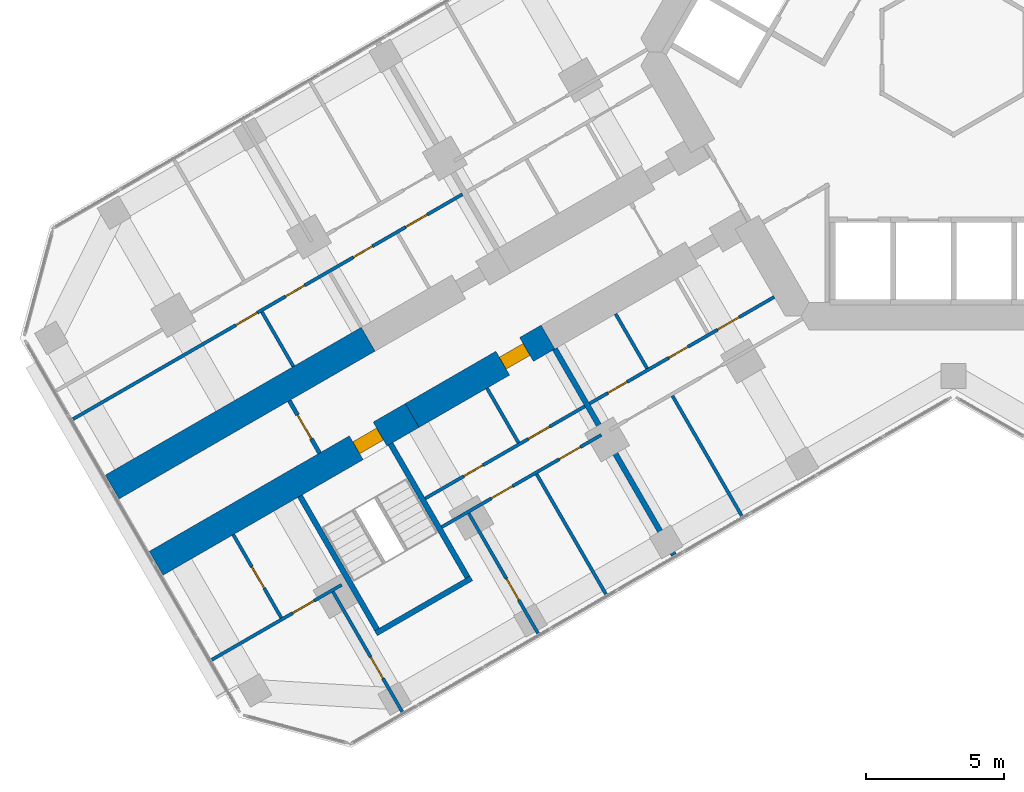
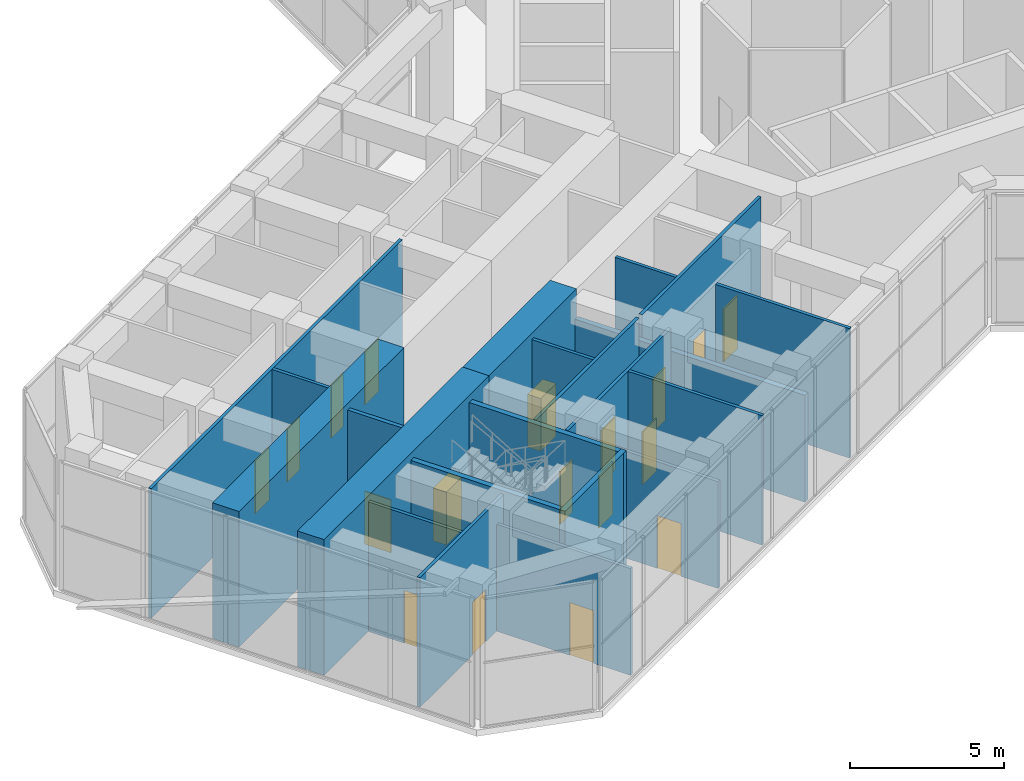
# One storey, part 14 of 23: 21 walls, 18 doors, 18 openings.
"""IFC4 building model written with IfcOpenShell, lengths in metres."""

from ifc_helpers import new_model, si_unit, direction, frame, frame_2d, origin, place, context, subcontext, project, spatial, rectangle, extrude, material, layer, layer_set, type_object, element, fill, save


model = new_model("IFC4")

# Units and contexts
model_context = context("Model", 3, precision=1e-05, world=origin(), true_north=direction((0.0, 1.0)))
body_context = subcontext(model_context, "Body", "Model", "MODEL_VIEW")
ifc_project = project(units=[si_unit("LENGTHUNIT", "METRE"), si_unit("AREAUNIT", "SQUARE_METRE"), si_unit("VOLUMEUNIT", "CUBIC_METRE"), si_unit("PLANEANGLEUNIT", "RADIAN"), si_unit("MASSUNIT", "GRAM", prefix="KILO")], contexts=[model_context])

# Site, building, storey
site_placement = place(None, origin())
site = spatial("IfcSite", under=ifc_project, at=site_placement, CompositionType="ELEMENT")
building_placement = place(site_placement, origin())
building = spatial("IfcBuilding", under=site, at=building_placement, Name="Kosmar Iwan School Tower", CompositionType="ELEMENT")
storey_placement = place(building_placement, frame((0.0, 0.0, 75.39990234375)))
storey = spatial("IfcBuildingStorey", under=building, at=storey_placement, Name="L18", CompositionType="ELEMENT", Elevation=75.39990234375)

# Wall, opening, door
ifc_material_1 = material(Name="Concrete C50/60", Category="concrete")
ifc_layer_1 = layer(ifc_material_1, 1.0)
ifc_layer_set_1 = layer_set([ifc_layer_1], Name="Corridor buttress wall 1000")
wall_type_1 = type_object("IfcWallType", Name="Corridor buttress wall 1000", PredefinedType="SHEAR", material=ifc_layer_set_1)
wall_1_placement = place(storey_placement, frame((-14.7451171875, -10.360595703125, 0.0), z_axis=(0.0, 0.0, 1.0), x_axis=(-0.866015111908, -0.50001782563, 0.0)))
wall_1 = element("IfcWall", 1, at=wall_1_placement, inside=storey, type_object=wall_type_1, Name="Corridor wall BL bay 2", PredefinedType="SHEAR", context=body_context, shape_type="SweptSolid", body=[
    extrude(rectangle(XDim=5.699951171875, YDim=1.0, at=frame_2d((2.85009765625, 0.0))), origin(), (0.0, 0.0, 1.0), 5.400146484375),
])
opening_1_placement = place(wall_1_placement, frame((0.89990234375, 0.0, 0.0)))
opening_1 = element("IfcOpeningElement", 2, at=opening_1_placement, cuts=wall_1, Name="Opening D1", PredefinedType="OPENING", context=body_context, shape_type="SweptSolid", body=[
    extrude(rectangle(XDim=1.0, YDim=2.10009765625, at=frame_2d((0.5, 1.050048828125))), frame((0.0, 0.511962890625, 0.0), z_axis=(0.0, -1.0, 0.0), x_axis=(1.0, 0.0, 0.0)), (0.0, 0.0, 1.0), 1.02392578125),
])
ifc_material_2 = material(Name="Timber fire door in steel frame", Category="steel")
door_type_1 = type_object("IfcDoorType", Name="Flat entrance door 1000x2100", OperationType="SINGLE_SWING_LEFT", PredefinedType="DOOR", material=ifc_material_2)
door_1_placement = place(opening_1_placement, origin())
door_1 = element("IfcDoor", 3, at=door_1_placement, inside=storey, type_object=door_type_1, Name="Flat L18-BL2 entrance door", OperationType="SINGLE_SWING_LEFT", OverallHeight=2.10009765625, OverallWidth=1.0, PredefinedType="DOOR", context=body_context, shape_type="SweptSolid", body=[
    extrude(rectangle(XDim=1.0, YDim=2.10009765625, at=frame_2d((0.5, 1.050048828125))), frame((0.0, 0.25, 0.0), z_axis=(0.0, -1.0, 0.0), x_axis=(1.0, 0.0, 0.0)), (0.0, 0.0, 1.0), 0.5),
])
fill(opening_1, door_1)

wall_2_placement = place(storey_placement, frame((-19.681396484375, -13.210693359375, 0.0), z_axis=(0.0, 0.0, 1.0), x_axis=(-0.866028186671, -0.499995179869, 0.0)))
wall_2 = element("IfcWall", 4, at=wall_2_placement, inside=storey, type_object=wall_type_1, Name="Corridor wall BL bay 3", PredefinedType="SHEAR", context=body_context, shape_type="SweptSolid", body=[
    extrude(rectangle(XDim=10.7451171875, YDim=1.0, at=frame_2d((5.37255859375, 0.0))), origin(), (0.0, 0.0, 1.0), 5.400146484375),
])
opening_2_placement = place(wall_2_placement, frame((1.35009765625, 0.0, 0.0)))
opening_2 = element("IfcOpeningElement", 5, at=opening_2_placement, cuts=wall_2, Name="Opening D6", PredefinedType="OPENING", context=body_context, shape_type="SweptSolid", body=[
    extrude(rectangle(XDim=1.0, YDim=2.10009765625, at=frame_2d((0.5, 1.050048828125))), frame((0.0, 0.511962890625, 0.0), z_axis=(0.0, -1.0, 0.0), x_axis=(1.0, 0.0, 0.0)), (0.0, 0.0, 1.0), 1.02392578125),
])
ifc_material_3 = material(Name="Steel fire door", Category="steel")
door_type_2 = type_object("IfcDoorType", Name="Stair door 1000x2100", OperationType="SINGLE_SWING_LEFT", PredefinedType="DOOR", material=ifc_material_3)
door_2_placement = place(opening_2_placement, origin())
door_2 = element("IfcDoor", 6, at=door_2_placement, inside=storey, type_object=door_type_2, Name="Stair WS2 door L18", OperationType="SINGLE_SWING_LEFT", OverallHeight=2.10009765625, OverallWidth=1.0, PredefinedType="DOOR", context=body_context, shape_type="SweptSolid", body=[
    extrude(rectangle(XDim=1.0, YDim=2.10009765625, at=frame_2d((0.5, 1.050048828125))), frame((0.0, 0.25, 0.0), z_axis=(0.0, -1.0, 0.0), x_axis=(1.0, 0.0, 0.0)), (0.0, 0.0, 1.0), 0.5),
])
fill(opening_2, door_2)

# Wall
wall_3_placement = place(storey_placement, frame((-21.281494140625, -10.439453125, 0.0), z_axis=(0.0, 0.0, 1.0), x_axis=(-0.866032345022, -0.499987977232, 0.0)))
element("IfcWall", 7, at=wall_3_placement, inside=storey, type_object=wall_type_1, Name="Corridor wall BR bay 3", PredefinedType="SHEAR", context=body_context, shape_type="SweptSolid", body=[
    extrude(rectangle(XDim=10.744873046875, YDim=1.0, at=frame_2d((5.37255859375, 0.0))), origin(), (0.0, 0.0, 1.0), 5.400146484375),
])

# Wall, opening, door
ifc_material_4 = material(Name="Gypsum board on steel studs, fire-rated", Category="steel")
ifc_layer_2 = layer(ifc_material_4, 0.14990234375)
ifc_layer_set_2 = layer_set([ifc_layer_2], Name="Corridor end wall 150")
wall_type_2 = type_object("IfcWallType", Name="Corridor end wall 150", PredefinedType="PARTITIONING", material=ifc_layer_set_2)
wall_4_placement = place(storey_placement, frame((-24.149169921875, -12.67236328125, 0.0), z_axis=(0.0, 0.0, 1.0), x_axis=(0.50002983664, -0.866008176907, 0.0)))
wall_4 = element("IfcWall", 8, at=wall_4_placement, inside=storey, type_object=wall_type_2, Name="Partition L18-B-CE", PredefinedType="PARTITIONING", context=body_context, shape_type="SweptSolid", body=[
    extrude(rectangle(XDim=2.199951171875, YDim=0.14990234375, at=frame_2d((1.10009765625, 0.0))), origin(), (0.0, 0.0, 1.0), 5.150146484375),
])
opening_3_placement = place(wall_4_placement, frame((0.60009765625, 0.0, 0.0)))
opening_3 = element("IfcOpeningElement", 9, at=opening_3_placement, cuts=wall_4, Name="Opening D13", PredefinedType="OPENING", context=body_context, shape_type="SweptSolid", body=[
    extrude(rectangle(XDim=1.0, YDim=2.10009765625, at=frame_2d((0.5, 1.050048828125))), frame((0.0, 0.0869140625, 0.0), z_axis=(0.0, -1.0, 0.0), x_axis=(1.0, 0.0, 0.0)), (0.0, 0.0, 1.0), 0.173828125),
])
ifc_material_5 = material(Name="Timber fire door with vision panel", Category="wood")
door_type_3 = type_object("IfcDoorType", Name="Corridor end door 1000x2100", OperationType="SINGLE_SWING_LEFT", PredefinedType="DOOR", material=ifc_material_5)
door_3_placement = place(opening_3_placement, origin())
door_3 = element("IfcDoor", 10, at=door_3_placement, inside=storey, type_object=door_type_3, Name="Children's play room door L18-B", OperationType="SINGLE_SWING_RIGHT", OverallHeight=2.10009765625, OverallWidth=1.0, PredefinedType="DOOR", context=body_context, shape_type="SweptSolid", body=[
    extrude(rectangle(XDim=1.0, YDim=2.10009765625, at=frame_2d((0.5, 1.050048828125))), frame((0.0, 0.02490234375, 0.0), z_axis=(0.0, -1.0, 0.0), x_axis=(1.0, 0.0, 0.0)), (0.0, 0.0, 1.0), 0.050048828125),
])
fill(opening_3, door_3)

# Wall, openings, doors
ifc_material_6 = material(Name="Gypsum board on steel studs", Category="steel")
ifc_layer_3 = layer(ifc_material_6, 0.1201171875)
ifc_layer_set_3 = layer_set([ifc_layer_3], Name="Dwelling partition 120")
wall_type_3 = type_object("IfcWallType", Name="Dwelling partition 120", PredefinedType="PARTITIONING", material=ifc_layer_set_3)
wall_5_placement = place(storey_placement, frame((-6.521728515625, -8.90380859375, 0.0), z_axis=(0.0, 0.0, 1.0), x_axis=(-0.866032409438, -0.499987865656, 0.0)))
wall_5 = element("IfcWall", 11, at=wall_5_placement, inside=storey, type_object=wall_type_3, Name="Partition L18-BL1-W1", PredefinedType="PARTITIONING", context=body_context, shape_type="SweptSolid", body=[
    extrude(rectangle(XDim=7.750244140625, YDim=0.1201171875, at=frame_2d((3.875, 0.0))), origin(), (0.0, 0.0, 1.0), 5.150146484375),
])
opening_4_placement = place(wall_5_placement, frame((1.47509765625, 0.0, 0.0)))
opening_4 = element("IfcOpeningElement", 12, at=opening_4_placement, cuts=wall_5, Name="Opening D2", PredefinedType="OPENING", context=body_context, shape_type="SweptSolid", body=[
    extrude(rectangle(XDim=0.89990234375, YDim=2.10009765625, at=frame_2d((0.449951171875, 1.050048828125))), frame((0.0, 0.072021484375, 0.0), z_axis=(0.0, -1.0, 0.0), x_axis=(1.0, 0.0, 0.0)), (0.0, 0.0, 1.0), 0.14404296875),
])
opening_5_placement = place(wall_5_placement, frame((3.625, 0.0, 0.0)))
opening_5 = element("IfcOpeningElement", 13, at=opening_5_placement, cuts=wall_5, Name="Opening D3", PredefinedType="OPENING", context=body_context, shape_type="SweptSolid", body=[
    extrude(rectangle(XDim=0.800048828125, YDim=2.10009765625, at=frame_2d((0.39990234375, 1.050048828125))), frame((0.0, 0.072021484375, 0.0), z_axis=(0.0, -1.0, 0.0), x_axis=(1.0, 0.0, 0.0)), (0.0, 0.0, 1.0), 0.14404296875),
])
opening_6_placement = place(wall_5_placement, frame((6.175048828125, 0.0, 0.0)))
opening_6 = element("IfcOpeningElement", 14, at=opening_6_placement, cuts=wall_5, Name="Opening D3", PredefinedType="OPENING", context=body_context, shape_type="SweptSolid", body=[
    extrude(rectangle(XDim=0.800048828125, YDim=2.10009765625, at=frame_2d((0.39990234375, 1.050048828125))), frame((0.0, 0.072021484375, 0.0), z_axis=(0.0, -1.0, 0.0), x_axis=(1.0, 0.0, 0.0)), (0.0, 0.0, 1.0), 0.14404296875),
])
ifc_material_7 = material(Name="Timber door in timber frame", Category="wood")
door_type_4 = type_object("IfcDoorType", Name="Internal door 900x2100", OperationType="SINGLE_SWING_LEFT", PredefinedType="DOOR", material=ifc_material_7)
door_4_placement = place(opening_4_placement, frame((0.89990234375, 0.0, 0.0), z_axis=(0.0, 0.0, 1.0), x_axis=(-1.0, 0.0, 0.0)))
door_4 = element("IfcDoor", 15, at=door_4_placement, inside=storey, type_object=door_type_4, Name="Entrance hall door L18-BL1-S1", OperationType="SINGLE_SWING_RIGHT", OverallHeight=2.10009765625, OverallWidth=0.89990234375, PredefinedType="DOOR", context=body_context, shape_type="SweptSolid", body=[
    extrude(rectangle(XDim=0.89990234375, YDim=2.10009765625, at=frame_2d((0.449951171875, 1.050048828125))), frame((0.0, 0.02490234375, 0.0), z_axis=(0.0, -1.0, 0.0), x_axis=(1.0, 0.0, 0.0)), (0.0, 0.0, 1.0), 0.050048828125),
])
fill(opening_4, door_4)
ifc_material_8 = material(Name="Timber door in timber frame", Category="wood")
door_type_5 = type_object("IfcDoorType", Name="Sanitary room door 800x2100", OperationType="SINGLE_SWING_LEFT", PredefinedType="DOOR", material=ifc_material_8)
door_5_placement = place(opening_5_placement, origin())
door_5 = element("IfcDoor", 16, at=door_5_placement, inside=storey, type_object=door_type_5, Name="Bathroom door L18-BL1-S2", OperationType="SINGLE_SWING_RIGHT", OverallHeight=2.10009765625, OverallWidth=0.800048828125, PredefinedType="DOOR", context=body_context, shape_type="SweptSolid", body=[
    extrude(rectangle(XDim=0.800048828125, YDim=2.10009765625, at=frame_2d((0.39990234375, 1.050048828125))), frame((0.0, 0.02490234375, 0.0), z_axis=(0.0, -1.0, 0.0), x_axis=(1.0, 0.0, 0.0)), (0.0, 0.0, 1.0), 0.050048828125),
])
fill(opening_5, door_5)
door_6_placement = place(opening_6_placement, origin())
door_6 = element("IfcDoor", 17, at=door_6_placement, inside=storey, type_object=door_type_5, Name="Store door L18-BL1-S3", OperationType="SINGLE_SWING_RIGHT", OverallHeight=2.10009765625, OverallWidth=0.800048828125, PredefinedType="DOOR", context=body_context, shape_type="SweptSolid", body=[
    extrude(rectangle(XDim=0.800048828125, YDim=2.10009765625, at=frame_2d((0.39990234375, 1.050048828125))), frame((0.0, 0.02490234375, 0.0), z_axis=(0.0, -1.0, 0.0), x_axis=(1.0, 0.0, 0.0)), (0.0, 0.0, 1.0), 0.050048828125),
])
fill(opening_6, door_6)

# Walls
wall_6_placement = place(storey_placement, frame((-10.221923828125, -12.4951171875, 0.0), z_axis=(0.0, 0.0, 1.0), x_axis=(0.499982695883, -0.866035394091, 0.0)))
element("IfcWall", 18, at=wall_6_placement, inside=storey, type_object=wall_type_3, Name="Partition L18-BL1-X1", PredefinedType="PARTITIONING", context=body_context, shape_type="SweptSolid", body=[
    extrude(rectangle(XDim=5.034912109375, YDim=0.1201171875, at=frame_2d((2.517578125, 0.0))), origin(), (0.0, 0.0, 1.0), 5.150146484375),
])
wall_7_placement = place(storey_placement, frame((-12.286865234375, -9.5185546875, 0.0), z_axis=(0.0, 0.0, 1.0), x_axis=(0.499968531483, -0.866043571379, 0.0)))
element("IfcWall", 19, at=wall_7_placement, inside=storey, type_object=wall_type_3, Name="Partition L18-BL1-Y2", PredefinedType="PARTITIONING", context=body_context, shape_type="SweptSolid", body=[
    extrude(rectangle(XDim=2.290283203125, YDim=0.1201171875, at=frame_2d((1.14501953125, 0.0))), origin(), (0.0, 0.0, 1.0), 5.150146484375),
])

# Wall, openings, doors
wall_8_placement = place(storey_placement, frame((-13.40673828125, -12.87890625, 0.0), z_axis=(0.0, 0.0, 1.0), x_axis=(-0.866039349182, -0.499975845085, 0.0)))
wall_8 = element("IfcWall", 20, at=wall_8_placement, inside=storey, type_object=wall_type_3, Name="Partition L18-BL2-W1", PredefinedType="PARTITIONING", context=body_context, shape_type="SweptSolid", body=[
    extrude(rectangle(XDim=6.699951171875, YDim=0.1201171875, at=frame_2d((3.35009765625, 0.0))), origin(), (0.0, 0.0, 1.0), 5.150146484375),
])
opening_7_placement = place(wall_8_placement, frame((1.47509765625, 0.0, 0.0)))
opening_7 = element("IfcOpeningElement", 21, at=opening_7_placement, cuts=wall_8, Name="Opening D2", PredefinedType="OPENING", context=body_context, shape_type="SweptSolid", body=[
    extrude(rectangle(XDim=0.89990234375, YDim=2.10009765625, at=frame_2d((0.449951171875, 1.050048828125))), frame((0.0, 0.072021484375, 0.0), z_axis=(0.0, -1.0, 0.0), x_axis=(1.0, 0.0, 0.0)), (0.0, 0.0, 1.0), 0.14404296875),
])
opening_8_placement = place(wall_8_placement, frame((4.27490234375, 0.0, 0.0)))
opening_8 = element("IfcOpeningElement", 22, at=opening_8_placement, cuts=wall_8, Name="Opening D3", PredefinedType="OPENING", context=body_context, shape_type="SweptSolid", body=[
    extrude(rectangle(XDim=0.800048828125, YDim=2.10009765625, at=frame_2d((0.39990234375, 1.050048828125))), frame((0.0, 0.072021484375, 0.0), z_axis=(0.0, -1.0, 0.0), x_axis=(1.0, 0.0, 0.0)), (0.0, 0.0, 1.0), 0.14404296875),
])
door_7_placement = place(opening_7_placement, origin())
door_7 = element("IfcDoor", 23, at=door_7_placement, inside=storey, type_object=door_type_4, Name="Entrance hall door L18-BL2-S1", OperationType="SINGLE_SWING_LEFT", OverallHeight=2.10009765625, OverallWidth=0.89990234375, PredefinedType="DOOR", context=body_context, shape_type="SweptSolid", body=[
    extrude(rectangle(XDim=0.89990234375, YDim=2.10009765625, at=frame_2d((0.449951171875, 1.050048828125))), frame((0.0, 0.02490234375, 0.0), z_axis=(0.0, -1.0, 0.0), x_axis=(1.0, 0.0, 0.0)), (0.0, 0.0, 1.0), 0.050048828125),
])
fill(opening_7, door_7)
door_8_placement = place(opening_8_placement, origin())
door_8 = element("IfcDoor", 24, at=door_8_placement, inside=storey, type_object=door_type_5, Name="Bathroom door L18-BL2-S2", OperationType="SINGLE_SWING_RIGHT", OverallHeight=2.10009765625, OverallWidth=0.800048828125, PredefinedType="DOOR", context=body_context, shape_type="SweptSolid", body=[
    extrude(rectangle(XDim=0.800048828125, YDim=2.10009765625, at=frame_2d((0.39990234375, 1.050048828125))), frame((0.0, 0.02490234375, 0.0), z_axis=(0.0, -1.0, 0.0), x_axis=(1.0, 0.0, 0.0)), (0.0, 0.0, 1.0), 0.050048828125),
])
fill(opening_8, door_8)

wall_9_placement = place(storey_placement, frame((-12.806640625, -13.91796875, 0.0), z_axis=(0.0, 0.0, 1.0), x_axis=(-0.866023571113, -0.500003174267, 0.0)))
wall_9 = element("IfcWall", 25, at=wall_9_placement, inside=storey, type_object=wall_type_3, Name="Partition L18-BL2-W2", PredefinedType="PARTITIONING", context=body_context, shape_type="SweptSolid", body=[
    extrude(rectangle(XDim=6.7001953125, YDim=0.1201171875, at=frame_2d((3.35009765625, 0.0))), origin(), (0.0, 0.0, 1.0), 5.150146484375),
])
opening_9_placement = place(wall_9_placement, frame((0.875, 0.0, 0.0)))
opening_9 = element("IfcOpeningElement", 26, at=opening_9_placement, cuts=wall_9, Name="Opening D2", PredefinedType="OPENING", context=body_context, shape_type="SweptSolid", body=[
    extrude(rectangle(XDim=0.89990234375, YDim=2.10009765625, at=frame_2d((0.449951171875, 1.050048828125))), frame((0.0, 0.072021484375, 0.0), z_axis=(0.0, -1.0, 0.0), x_axis=(1.0, 0.0, 0.0)), (0.0, 0.0, 1.0), 0.14404296875),
])
opening_10_placement = place(wall_9_placement, frame((3.72509765625, 0.0, 0.0)))
opening_10 = element("IfcOpeningElement", 27, at=opening_10_placement, cuts=wall_9, Name="Opening D2", PredefinedType="OPENING", context=body_context, shape_type="SweptSolid", body=[
    extrude(rectangle(XDim=0.89990234375, YDim=2.10009765625, at=frame_2d((0.449951171875, 1.050048828125))), frame((0.0, 0.072021484375, 0.0), z_axis=(0.0, -1.0, 0.0), x_axis=(1.0, 0.0, 0.0)), (0.0, 0.0, 1.0), 0.14404296875),
])
door_9_placement = place(opening_9_placement, origin())
door_9 = element("IfcDoor", 28, at=door_9_placement, inside=storey, type_object=door_type_4, Name="Bedroom 1 door L18-BL2-F1", OperationType="SINGLE_SWING_RIGHT", OverallHeight=2.10009765625, OverallWidth=0.89990234375, PredefinedType="DOOR", context=body_context, shape_type="SweptSolid", body=[
    extrude(rectangle(XDim=0.89990234375, YDim=2.10009765625, at=frame_2d((0.449951171875, 1.050048828125))), frame((0.0, 0.02490234375, 0.0), z_axis=(0.0, -1.0, 0.0), x_axis=(1.0, 0.0, 0.0)), (0.0, 0.0, 1.0), 0.050048828125),
])
fill(opening_9, door_9)
door_10_placement = place(opening_10_placement, origin())
door_10 = element("IfcDoor", 29, at=door_10_placement, inside=storey, type_object=door_type_4, Name="Bedroom 2 door L18-BL2-F2", OperationType="SINGLE_SWING_LEFT", OverallHeight=2.10009765625, OverallWidth=0.89990234375, PredefinedType="DOOR", context=body_context, shape_type="SweptSolid", body=[
    extrude(rectangle(XDim=0.89990234375, YDim=2.10009765625, at=frame_2d((0.449951171875, 1.050048828125))), frame((0.0, 0.02490234375, 0.0), z_axis=(0.0, -1.0, 0.0), x_axis=(1.0, 0.0, 0.0)), (0.0, 0.0, 1.0), 0.050048828125),
])
fill(opening_10, door_10)

# Walls
wall_10_placement = place(storey_placement, frame((-15.158447265625, -15.344970703125, 0.0), z_axis=(0.0, 0.0, 1.0), x_axis=(0.499998066894, -0.866026519861, 0.0)))
element("IfcWall", 30, at=wall_10_placement, inside=storey, type_object=wall_type_3, Name="Partition L18-BL2-X1", PredefinedType="PARTITIONING", context=body_context, shape_type="SweptSolid", body=[
    extrude(rectangle(XDim=5.03515625, YDim=0.1201171875, at=frame_2d((2.517578125, 0.0))), origin(), (0.0, 0.0, 1.0), 5.150146484375),
])
wall_11_placement = place(storey_placement, frame((-16.96337890625, -12.21875, 0.0), z_axis=(0.0, 0.0, 1.0), x_axis=(0.500014693593, -0.866016920268, 0.0)))
element("IfcWall", 31, at=wall_11_placement, inside=storey, type_object=wall_type_3, Name="Partition L18-BL2-Y1", PredefinedType="PARTITIONING", context=body_context, shape_type="SweptSolid", body=[
    extrude(rectangle(XDim=2.2900390625, YDim=0.1201171875, at=frame_2d((1.14501953125, 0.0))), origin(), (0.0, 0.0, 1.0), 5.150146484375),
])

# Wall, opening, door
wall_12_placement = place(storey_placement, frame((-17.62646484375, -16.77001953125, 0.0), z_axis=(0.0, 0.0, 1.0), x_axis=(0.500019063067, -0.866014397438, 0.0)))
wall_12 = element("IfcWall", 32, at=wall_12_placement, inside=storey, type_object=wall_type_3, Name="Partition L18-BL2-TB", PredefinedType="PARTITIONING", context=body_context, shape_type="SweptSolid", body=[
    extrude(rectangle(XDim=5.034912109375, YDim=0.1201171875, at=frame_2d((2.517578125, 0.0))), origin(), (0.0, 0.0, 1.0), 4.25),
])
opening_11_placement = place(wall_12_placement, frame((2.739990234375, 0.0, 0.0)))
opening_11 = element("IfcOpeningElement", 33, at=opening_11_placement, cuts=wall_12, Name="Opening D2", PredefinedType="OPENING", context=body_context, shape_type="SweptSolid", body=[
    extrude(rectangle(XDim=0.89990234375, YDim=2.10009765625, at=frame_2d((0.449951171875, 1.050048828125))), frame((0.0, 0.072021484375, 0.0), z_axis=(0.0, -1.0, 0.0), x_axis=(1.0, 0.0, 0.0)), (0.0, 0.0, 1.0), 0.14404296875),
])
door_11_placement = place(opening_11_placement, origin())
door_11 = element("IfcDoor", 34, at=door_11_placement, inside=storey, type_object=door_type_4, Name="Bedroom 2 door L18-BL2-F2", OperationType="SINGLE_SWING_RIGHT", OverallHeight=2.10009765625, OverallWidth=0.89990234375, PredefinedType="DOOR", context=body_context, shape_type="SweptSolid", body=[
    extrude(rectangle(XDim=0.89990234375, YDim=2.10009765625, at=frame_2d((0.449951171875, 1.050048828125))), frame((0.0, 0.02490234375, 0.0), z_axis=(0.0, -1.0, 0.0), x_axis=(1.0, 0.0, 0.0)), (0.0, 0.0, 1.0), 0.050048828125),
])
fill(opening_11, door_11)

wall_13_placement = place(storey_placement, frame((-22.562744140625, -19.6201171875, 0.0), z_axis=(0.0, 0.0, 1.0), x_axis=(0.499982695883, -0.866035394091, 0.0)))
wall_13 = element("IfcWall", 35, at=wall_13_placement, inside=storey, type_object=wall_type_3, Name="Partition L18-BL2-TX", PredefinedType="PARTITIONING", context=body_context, shape_type="SweptSolid", body=[
    extrude(rectangle(XDim=5.034912109375, YDim=0.1201171875, at=frame_2d((2.517578125, 0.0))), origin(), (0.0, 0.0, 1.0), 4.25),
])
opening_12_placement = place(wall_13_placement, frame((2.739990234375, 0.0, 0.0)))
opening_12 = element("IfcOpeningElement", 36, at=opening_12_placement, cuts=wall_13, Name="Opening D2", PredefinedType="OPENING", context=body_context, shape_type="SweptSolid", body=[
    extrude(rectangle(XDim=0.89990234375, YDim=2.10009765625, at=frame_2d((0.449951171875, 1.050048828125))), frame((0.0, 0.072021484375, 0.0), z_axis=(0.0, -1.0, 0.0), x_axis=(1.0, 0.0, 0.0)), (0.0, 0.0, 1.0), 0.14404296875),
])
door_12_placement = place(opening_12_placement, origin())
door_12 = element("IfcDoor", 37, at=door_12_placement, inside=storey, type_object=door_type_4, Name="Bedroom 2 door L18-BL2-T1", OperationType="SINGLE_SWING_RIGHT", OverallHeight=2.10009765625, OverallWidth=0.89990234375, PredefinedType="DOOR", context=body_context, shape_type="SweptSolid", body=[
    extrude(rectangle(XDim=0.89990234375, YDim=2.10009765625, at=frame_2d((0.449951171875, 1.050048828125))), frame((0.0, 0.02490234375, 0.0), z_axis=(0.0, -1.0, 0.0), x_axis=(1.0, 0.0, 0.0)), (0.0, 0.0, 1.0), 0.050048828125),
])
fill(opening_12, door_12)

wall_14_placement = place(storey_placement, frame((-22.246337890625, -19.3681640625, 0.0), z_axis=(0.0, 0.0, 1.0), x_axis=(-0.866035508231, -0.499982498177, 0.0)))
wall_14 = element("IfcWall", 38, at=wall_14_placement, inside=storey, type_object=wall_type_3, Name="Partition L18-BL2-TW", PredefinedType="PARTITIONING", context=body_context, shape_type="SweptSolid", body=[
    extrude(rectangle(XDim=5.445068359375, YDim=0.1201171875, at=frame_2d((2.72265625, 0.0))), origin(), (0.0, 0.0, 1.0), 5.150146484375),
])
opening_13_placement = place(wall_14_placement, frame((1.14990234375, 0.0, 0.0)))
opening_13 = element("IfcOpeningElement", 39, at=opening_13_placement, cuts=wall_14, Name="Opening D2", PredefinedType="OPENING", context=body_context, shape_type="SweptSolid", body=[
    extrude(rectangle(XDim=0.89990234375, YDim=2.10009765625, at=frame_2d((0.449951171875, 1.050048828125))), frame((0.0, 0.072021484375, 0.0), z_axis=(0.0, -1.0, 0.0), x_axis=(1.0, 0.0, 0.0)), (0.0, 0.0, 1.0), 0.14404296875),
])
door_13_placement = place(opening_13_placement, origin())
door_13 = element("IfcDoor", 40, at=door_13_placement, inside=storey, type_object=door_type_4, Name="Shower room door L18-BL2-T3", OperationType="SINGLE_SWING_LEFT", OverallHeight=2.10009765625, OverallWidth=0.89990234375, PredefinedType="DOOR", context=body_context, shape_type="SweptSolid", body=[
    extrude(rectangle(XDim=0.89990234375, YDim=2.10009765625, at=frame_2d((0.449951171875, 1.050048828125))), frame((0.0, 0.02490234375, 0.0), z_axis=(0.0, -1.0, 0.0), x_axis=(1.0, 0.0, 0.0)), (0.0, 0.0, 1.0), 0.050048828125),
])
fill(opening_13, door_13)

wall_15_placement = place(storey_placement, frame((-26.1865234375, -17.543701171875, 0.0), z_axis=(0.0, 0.0, 1.0), x_axis=(0.50002117804, -0.866013176292, 0.0)))
wall_15 = element("IfcWall", 41, at=wall_15_placement, inside=storey, type_object=wall_type_3, Name="Partition L18-BL2-TY", PredefinedType="PARTITIONING", context=body_context, shape_type="SweptSolid", body=[
    extrude(rectangle(XDim=3.489990234375, YDim=0.1201171875, at=frame_2d((1.7451171875, 0.0))), origin(), (0.0, 0.0, 1.0), 5.150146484375),
])
opening_14_placement = place(wall_15_placement, frame((1.344970703125, 0.0, 0.0)))
opening_14 = element("IfcOpeningElement", 42, at=opening_14_placement, cuts=wall_15, Name="Opening D2", PredefinedType="OPENING", context=body_context, shape_type="SweptSolid", body=[
    extrude(rectangle(XDim=0.89990234375, YDim=2.10009765625, at=frame_2d((0.449951171875, 1.050048828125))), frame((0.0, 0.072021484375, 0.0), z_axis=(0.0, -1.0, 0.0), x_axis=(1.0, 0.0, 0.0)), (0.0, 0.0, 1.0), 0.14404296875),
])
door_14_placement = place(opening_14_placement, origin())
door_14 = element("IfcDoor", 43, at=door_14_placement, inside=storey, type_object=door_type_4, Name="Bedroom 4 door L18-BL2-T4", OperationType="SINGLE_SWING_RIGHT", OverallHeight=2.10009765625, OverallWidth=0.89990234375, PredefinedType="DOOR", context=body_context, shape_type="SweptSolid", body=[
    extrude(rectangle(XDim=0.89990234375, YDim=2.10009765625, at=frame_2d((0.449951171875, 1.050048828125))), frame((0.0, 0.02490234375, 0.0), z_axis=(0.0, -1.0, 0.0), x_axis=(1.0, 0.0, 0.0)), (0.0, 0.0, 1.0), 0.050048828125),
])
fill(opening_14, door_14)

# Wall, openings, doors
wall_16_placement = place(storey_placement, frame((-17.856689453125, -5.171142578125, 0.0), z_axis=(0.0, 0.0, 1.0), x_axis=(-0.866023907196, -0.500002592159, 0.0)))
wall_16 = element("IfcWall", 44, at=wall_16_placement, inside=storey, type_object=wall_type_3, Name="Partition L18-BR2-W1", PredefinedType="PARTITIONING", context=body_context, shape_type="SweptSolid", body=[
    extrude(rectangle(XDim=16.34521484375, YDim=0.1201171875, at=frame_2d((8.172607421875, 0.0))), origin(), (0.0, 0.0, 1.0), 5.150146484375),
])
opening_15_placement = place(wall_16_placement, frame((1.47509765625, 0.0, 0.0)))
opening_15 = element("IfcOpeningElement", 45, at=opening_15_placement, cuts=wall_16, Name="Opening D2", PredefinedType="OPENING", context=body_context, shape_type="SweptSolid", body=[
    extrude(rectangle(XDim=0.89990234375, YDim=2.10009765625, at=frame_2d((0.449951171875, 1.050048828125))), frame((0.0, 0.072021484375, 0.0), z_axis=(0.0, -1.0, 0.0), x_axis=(1.0, 0.0, 0.0)), (0.0, 0.0, 1.0), 0.14404296875),
])
opening_16_placement = place(wall_16_placement, frame((3.77490234375, 0.0, 0.0)))
opening_16 = element("IfcOpeningElement", 46, at=opening_16_placement, cuts=wall_16, Name="Opening D3", PredefinedType="OPENING", context=body_context, shape_type="SweptSolid", body=[
    extrude(rectangle(XDim=0.800048828125, YDim=2.10009765625, at=frame_2d((0.39990234375, 1.050048828125))), frame((0.0, 0.072021484375, 0.0), z_axis=(0.0, -1.0, 0.0), x_axis=(1.0, 0.0, 0.0)), (0.0, 0.0, 1.0), 0.14404296875),
])
opening_17_placement = place(wall_16_placement, frame((6.625, 0.0, 0.0)))
opening_17 = element("IfcOpeningElement", 47, at=opening_17_placement, cuts=wall_16, Name="Opening D3", PredefinedType="OPENING", context=body_context, shape_type="SweptSolid", body=[
    extrude(rectangle(XDim=0.800048828125, YDim=2.10009765625, at=frame_2d((0.39990234375, 1.050048828125))), frame((0.0, 0.072021484375, 0.0), z_axis=(0.0, -1.0, 0.0), x_axis=(1.0, 0.0, 0.0)), (0.0, 0.0, 1.0), 0.14404296875),
])
opening_18_placement = place(wall_16_placement, frame((8.610107421875, 0.0, 0.0)))
opening_18 = element("IfcOpeningElement", 48, at=opening_18_placement, cuts=wall_16, Name="Opening D2", PredefinedType="OPENING", context=body_context, shape_type="SweptSolid", body=[
    extrude(rectangle(XDim=0.89990234375, YDim=2.10009765625, at=frame_2d((0.449951171875, 1.050048828125))), frame((0.0, 0.072021484375, 0.0), z_axis=(0.0, -1.0, 0.0), x_axis=(1.0, 0.0, 0.0)), (0.0, 0.0, 1.0), 0.14404296875),
])
door_15_placement = place(opening_15_placement, origin())
door_15 = element("IfcDoor", 49, at=door_15_placement, inside=storey, type_object=door_type_4, Name="Entrance hall door L18-BR2-S1", OperationType="SINGLE_SWING_RIGHT", OverallHeight=2.10009765625, OverallWidth=0.89990234375, PredefinedType="DOOR", context=body_context, shape_type="SweptSolid", body=[
    extrude(rectangle(XDim=0.89990234375, YDim=2.10009765625, at=frame_2d((0.449951171875, 1.050048828125))), frame((0.0, 0.02490234375, 0.0), z_axis=(0.0, -1.0, 0.0), x_axis=(1.0, 0.0, 0.0)), (0.0, 0.0, 1.0), 0.050048828125),
])
fill(opening_15, door_15)
door_16_placement = place(opening_18_placement, origin())
door_16 = element("IfcDoor", 50, at=door_16_placement, inside=storey, type_object=door_type_4, Name="Bedroom 4 door L18-BR2-S4", OperationType="SINGLE_SWING_LEFT", OverallHeight=2.10009765625, OverallWidth=0.89990234375, PredefinedType="DOOR", context=body_context, shape_type="SweptSolid", body=[
    extrude(rectangle(XDim=0.89990234375, YDim=2.10009765625, at=frame_2d((0.449951171875, 1.050048828125))), frame((0.0, 0.02490234375, 0.0), z_axis=(0.0, -1.0, 0.0), x_axis=(1.0, 0.0, 0.0)), (0.0, 0.0, 1.0), 0.050048828125),
])
fill(opening_18, door_16)
door_17_placement = place(opening_16_placement, origin())
door_17 = element("IfcDoor", 51, at=door_17_placement, inside=storey, type_object=door_type_5, Name="Bathroom door L18-BR2-S2", OperationType="SINGLE_SWING_LEFT", OverallHeight=2.10009765625, OverallWidth=0.800048828125, PredefinedType="DOOR", context=body_context, shape_type="SweptSolid", body=[
    extrude(rectangle(XDim=0.800048828125, YDim=2.10009765625, at=frame_2d((0.39990234375, 1.050048828125))), frame((0.0, 0.02490234375, 0.0), z_axis=(0.0, -1.0, 0.0), x_axis=(1.0, 0.0, 0.0)), (0.0, 0.0, 1.0), 0.050048828125),
])
fill(opening_16, door_17)
door_18_placement = place(opening_17_placement, origin())
door_18 = element("IfcDoor", 52, at=door_18_placement, inside=storey, type_object=door_type_5, Name="Shower room door L18-BR2-S3", OperationType="SINGLE_SWING_RIGHT", OverallHeight=2.10009765625, OverallWidth=0.800048828125, PredefinedType="DOOR", context=body_context, shape_type="SweptSolid", body=[
    extrude(rectangle(XDim=0.800048828125, YDim=2.10009765625, at=frame_2d((0.39990234375, 1.050048828125))), frame((0.0, 0.02490234375, 0.0), z_axis=(0.0, -1.0, 0.0), x_axis=(1.0, 0.0, 0.0)), (0.0, 0.0, 1.0), 0.050048828125),
])
fill(opening_17, door_18)

# Walls
wall_17_placement = place(storey_placement, frame((-23.999755859375, -11.431396484375, 0.0), z_axis=(0.0, 0.0, 1.0), x_axis=(-0.500014693593, 0.866016920268, 0.0)))
element("IfcWall", 53, at=wall_17_placement, inside=storey, type_object=wall_type_3, Name="Partition L18-BR2-Y3", PredefinedType="PARTITIONING", context=body_context, shape_type="SweptSolid", body=[
    extrude(rectangle(XDim=2.2900390625, YDim=0.1201171875, at=frame_2d((1.14501953125, 0.0))), origin(), (0.0, 0.0, 1.0), 5.150146484375),
])
ifc_material_9 = material(Name="Concrete C35/45", Category="concrete")
ifc_layer_4 = layer(ifc_material_9, 0.199951171875)
ifc_layer_set_4 = layer_set([ifc_layer_4], Name="Escape stair wall 200")
wall_type_4 = type_object("IfcWallType", Name="Escape stair wall 200", PredefinedType="SHEAR", material=ifc_layer_set_4)
for number, where, z_axis, x_axis, name in (
    (54, (-20.470703125, -14.24365234375, 0.0), (0.0, 0.0, 1.0), (0.499987231761, -0.866032775405, 0.0), "Stair WS2 wall"),
    (55, (-23.76171875, -16.1435546875, 0.0), (0.0, 0.0, 1.0), (0.500018801468, -0.86601454848, 0.0), "Stair WS2 wall"),
):
    element("IfcWall", number, at=place(storey_placement, frame(where, z_axis=z_axis, x_axis=x_axis)), inside=storey, type_object=wall_type_4, Name=name, PredefinedType="SHEAR", context=body_context, shape_type="SweptSolid", body=[
        extrude(rectangle(XDim=5.800048828125, YDim=0.199951171875, at=frame_2d((2.89990234375, 0.0))), origin(), (0.0, 0.0, 1.0), 5.130126953125),
    ])
wall_18_placement = place(storey_placement, frame((-17.5341796875, -19.1298828125, 0.0), z_axis=(0.0, 0.0, 1.0), x_axis=(-0.866026010844, -0.49999894854, 0.0)))
element("IfcWall", 56, at=wall_18_placement, inside=storey, type_object=wall_type_4, Name="Stair WS2 wall", PredefinedType="SHEAR", context=body_context, shape_type="SweptSolid", body=[
    extrude(rectangle(XDim=4.0, YDim=0.199951171875, at=frame_2d((2.0, 0.0))), origin(), (0.0, 0.0, 1.0), 5.130126953125),
])
ifc_material_10 = material(Name="Concrete block masonry", Category="masonry")
ifc_layer_5 = layer(ifc_material_10, 0.199951171875)
ifc_layer_set_5 = layer_set([ifc_layer_5], Name="Party wall 200")
wall_type_5 = type_object("IfcWallType", Name="Party wall 200", PredefinedType="PARTITIONING", material=ifc_layer_set_5)
wall_19_placement = place(storey_placement, frame((-14.4951171875, -10.793701171875, 0.0), z_axis=(0.0, 0.0, 1.0), x_axis=(0.499999505331, -0.866025689381, 0.0)))
element("IfcWall", 57, at=wall_19_placement, inside=storey, type_object=wall_type_5, Name="Partition L18-BL2-PW", PredefinedType="PARTITIONING", context=body_context, shape_type="SweptSolid", body=[
    extrude(rectangle(XDim=8.64501953125, YDim=0.199951171875, at=frame_2d((4.322509765625, 0.0))), origin(), (0.0, 0.0, 1.0), 4.25),
])

save(model, "model.ifc")
